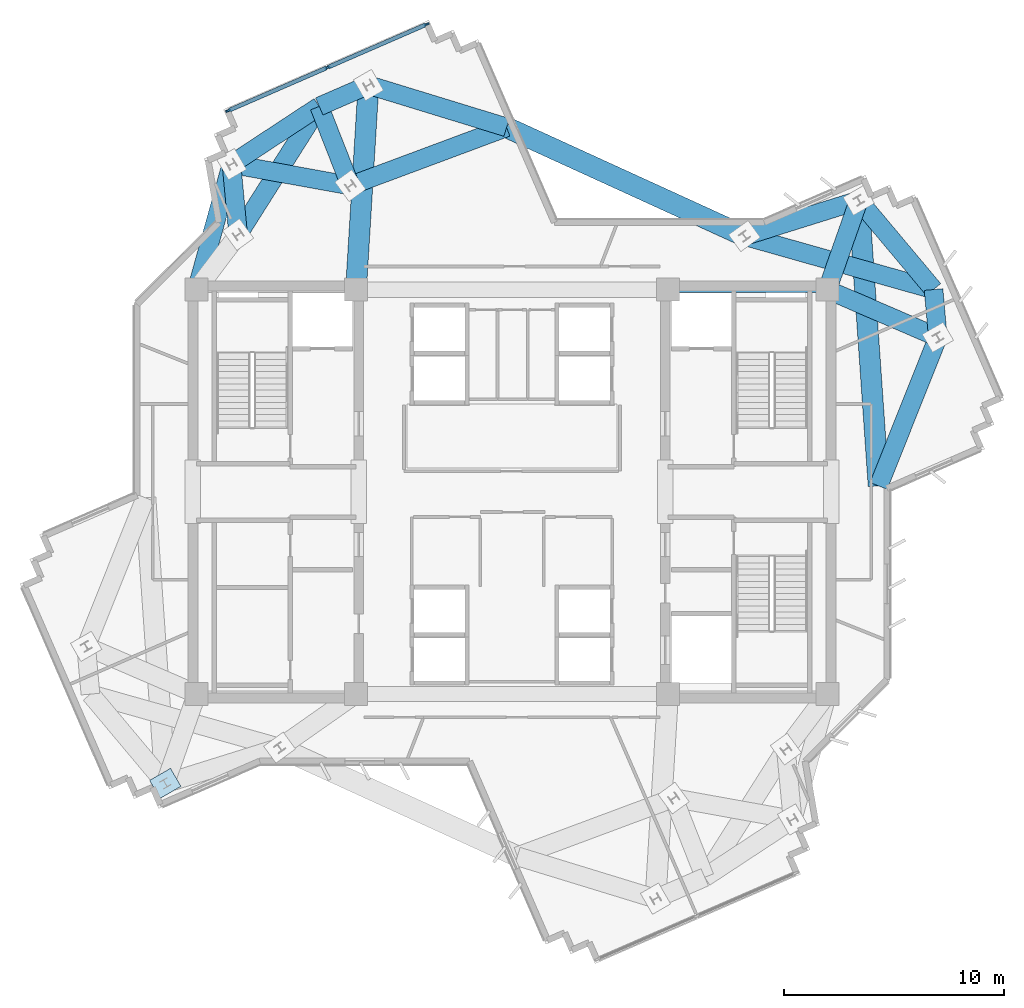
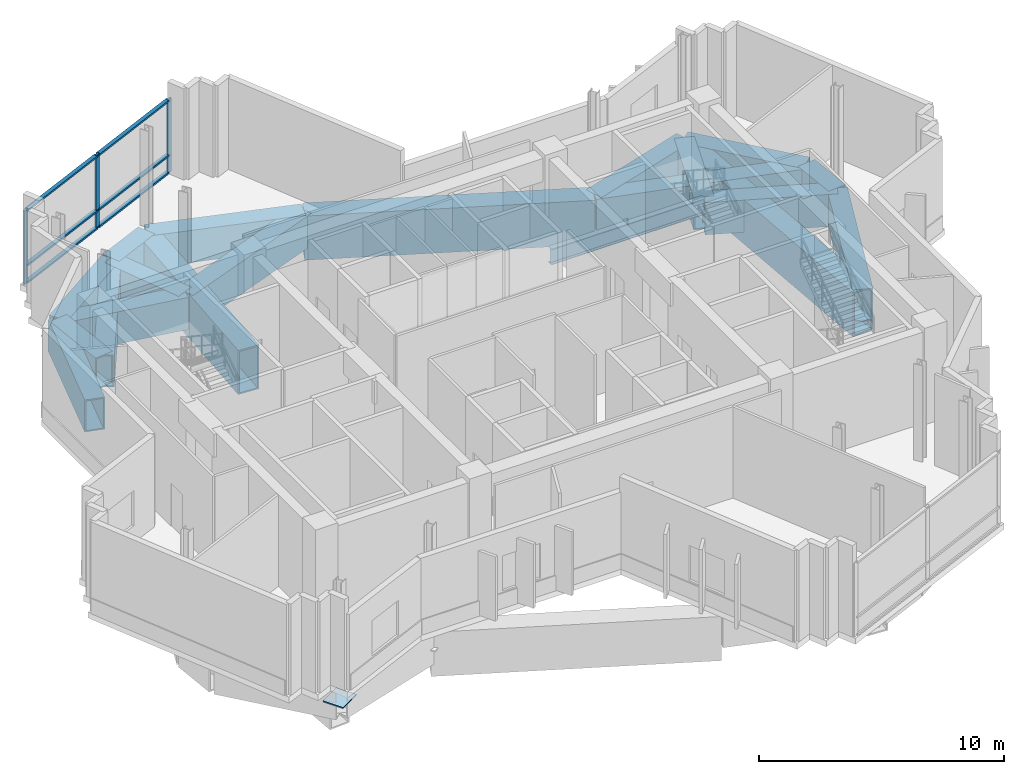
# One storey, part 3 of 11: 20 beams, 9 members, 1 plate, 1 element without a shape of its own.
"""IFC4 building model written with IfcOpenShell, lengths in metres."""

from ifc_helpers import new_model, si_unit, direction, frame, origin, origin_2d, place, context, subcontext, project, spatial, rectangle, hollow_rectangle, i_section, extrude, source, transform, mapped, material, layer, layer_set, material_profile, profile_set, type_object, element, aggregate, save


model = new_model("IFC4")

# Units and contexts
model_context = context("Model", 3, precision=1e-05, world=origin(), true_north=direction((0.0, 1.0)))
body_context = subcontext(model_context, "Body", "Model", "MODEL_VIEW")
ifc_project = project(units=[si_unit("LENGTHUNIT", "METRE"), si_unit("AREAUNIT", "SQUARE_METRE"), si_unit("VOLUMEUNIT", "CUBIC_METRE"), si_unit("PLANEANGLEUNIT", "RADIAN"), si_unit("MASSUNIT", "GRAM", prefix="KILO")], contexts=[model_context])

# Site, building, storey
site_placement = place(None, origin())
site = spatial("IfcSite", under=ifc_project, at=site_placement, CompositionType="ELEMENT")
building_placement = place(site_placement, origin())
building = spatial("IfcBuilding", under=site, at=building_placement, Name="Zahravan Cultural Tower", CompositionType="ELEMENT")
storey_placement = place(building_placement, frame((0.0, 0.0, 234.300048828125)))
storey = spatial("IfcBuildingStorey", under=building, at=storey_placement, Name="L55", CompositionType="ELEMENT", Elevation=234.300048828125)

# Beams
ifc_material_1 = material(Name="Steel ASTM A992 Grade 50", Category="steel")
ifc_material_profile_1 = material_profile(ifc_material_1, i_section(OverallWidth=0.26611328125, OverallDepth=0.780029296875, WebThickness=0.0166015625, FlangeThickness=0.030029296875, FilletRadius=0.01904296875, at=origin_2d()), Name="W30X148")
ifc_profile_set_1 = profile_set([ifc_material_profile_1], Name="Steel ASTM A992 Grade 50")
beam_type_1 = type_object("IfcBeamType", Name="BM-G-W30X148", PredefinedType="BEAM", material=ifc_profile_set_1)
shared_shape_1 = source(origin(), body_context, "Body", "SweptSolid", [
    extrude(i_section(OverallWidth=0.26611328125, OverallDepth=0.780029296875, WebThickness=0.0166015625, FlangeThickness=0.030029296875, FilletRadius=0.01904296875, at=origin_2d()), origin(), (0.0, 0.0, 1.0), 7.25),
])
beam_1_placement = place(storey_placement, frame((43.10009765625, 36.199951171875, -0.68994140625), z_axis=(1.0, 0.0, 0.0), x_axis=(0.0, 1.0, 0.0)))
element("IfcBeam", 1, at=beam_1_placement, inside=storey, type_object=beam_type_1, Name="L55 Beam BG-L55-05", PredefinedType="BEAM", context=body_context, shape_type="MappedRepresentation", body=[
    mapped(shared_shape_1, transform((0.0, 0.0, 0.0), x_axis=(1.0, 0.0, 0.0), y_axis=(0.0, 1.0, 0.0), z_axis=(0.0, 0.0, 1.0), scale=1.0)),
])
ifc_material_2 = material(Name="Steel ASTM A572 Grade 50", Category="steel")
ifc_material_profile_2 = material_profile(ifc_material_2, hollow_rectangle(XDim=0.85009765625, YDim=1.60009765625, WallThickness=0.06005859375, at=origin_2d()), Name="BOX1600X850X60")
ifc_profile_set_2 = profile_set([ifc_material_profile_2], Name="Steel ASTM A572 Grade 50")
beam_type_2 = type_object("IfcBeamType", Name="BM-TR-BOX1600", PredefinedType="BEAM", material=ifc_profile_set_2)
shared_shape_2 = source(origin(), body_context, "Body", "SweptSolid", [
    extrude(hollow_rectangle(XDim=0.85009765625, YDim=1.60009765625, WallThickness=0.06005859375, at=origin_2d()), origin(), (0.0, 0.0, 1.0), 5.4775390625),
])
beam_2_placement = place(storey_placement, frame((50.35009765625, 36.199951171875, -1.10009765625), z_axis=(0.91835704552, -0.395752873577, 0.0), x_axis=(0.395752873577, 0.91835704552, 0.0)))
element("IfcBeam", 2, at=beam_2_placement, inside=storey, type_object=beam_type_2, Name="L55 Beam TB-L55-27", PredefinedType="BEAM", context=body_context, shape_type="MappedRepresentation", body=[
    mapped(shared_shape_2, transform((0.0, 0.0, 0.0), x_axis=(1.0, 0.0, 0.0), y_axis=(0.0, 1.0, 0.0), z_axis=(0.0, 0.0, 1.0), scale=1.0)),
])
shared_shape_3 = source(origin(), body_context, "Body", "SweptSolid", [
    extrude(hollow_rectangle(XDim=0.85009765625, YDim=1.60009765625, WallThickness=0.06005859375, at=origin_2d()), origin(), (0.0, 0.0, 1.0), 2.1826171875),
])
beam_3_placement = place(storey_placement, frame((55.38037109375, 34.0322265625, -1.10009765625), z_axis=(-0.089597754325, 0.995978033101, 0.0), x_axis=(-0.995978033101, -0.089597754325, 0.0)))
element("IfcBeam", 3, at=beam_3_placement, inside=storey, type_object=beam_type_2, Name="L55 Beam TB-L55-28", PredefinedType="BEAM", context=body_context, shape_type="MappedRepresentation", body=[
    mapped(shared_shape_3, transform((0.0, 0.0, 0.0), x_axis=(1.0, 0.0, 0.0), y_axis=(0.0, 1.0, 0.0), z_axis=(0.0, 0.0, 1.0), scale=1.0)),
])
shared_shape_4 = source(origin(), body_context, "Body", "SweptSolid", [
    extrude(hollow_rectangle(XDim=0.85009765625, YDim=1.60009765625, WallThickness=0.06005859375, at=origin_2d()), origin(), (0.0, 0.0, 1.0), 7.279052734375),
])
beam_4_placement = place(storey_placement, frame((55.38037109375, 34.0322265625, -1.10009765625), z_axis=(-0.370390022442, -0.928876327223, 0.0), x_axis=(0.928876327223, -0.370390022442, 0.0)))
element("IfcBeam", 4, at=beam_4_placement, inside=storey, type_object=beam_type_2, Name="L55 Beam TB-L55-29", PredefinedType="BEAM", context=body_context, shape_type="MappedRepresentation", body=[
    mapped(shared_shape_4, transform((0.0, 0.0, 0.0), x_axis=(1.0, 0.0, 0.0), y_axis=(0.0, 1.0, 0.0), z_axis=(0.0, 0.0, 1.0), scale=1.0)),
])
shared_shape_5 = source(origin(), body_context, "Body", "SweptSolid", [
    extrude(hollow_rectangle(XDim=0.85009765625, YDim=1.60009765625, WallThickness=0.06005859375, at=origin_2d()), origin(), (0.0, 0.0, 1.0), 4.311767578125),
])
beam_5_placement = place(storey_placement, frame((50.35009765625, 36.199951171875, -1.10009765625), z_axis=(0.331694400302, 0.94338689031, 0.0), x_axis=(-0.94338689031, 0.331694400302, 0.0)))
element("IfcBeam", 5, at=beam_5_placement, inside=storey, type_object=beam_type_2, Name="L55 Beam TB-L55-30", PredefinedType="BEAM", context=body_context, shape_type="MappedRepresentation", body=[
    mapped(shared_shape_5, transform((0.0, 0.0, 0.0), x_axis=(1.0, 0.0, 0.0), y_axis=(0.0, 1.0, 0.0), z_axis=(0.0, 0.0, 1.0), scale=1.0)),
])
shared_shape_6 = source(origin(), body_context, "Body", "SweptSolid", [
    extrude(hollow_rectangle(XDim=0.85009765625, YDim=1.60009765625, WallThickness=0.06005859375, at=origin_2d()), origin(), (0.0, 0.0, 1.0), 5.2998046875),
])
beam_6_placement = place(storey_placement, frame((51.7802734375, 40.267578125, -1.10009765625), z_axis=(0.642401996297, -0.766367845851, 0.0), x_axis=(0.766367845851, 0.642401996297, 0.0)))
element("IfcBeam", 6, at=beam_6_placement, inside=storey, type_object=beam_type_2, Name="L55 Beam TB-L55-31", PredefinedType="BEAM", context=body_context, shape_type="MappedRepresentation", body=[
    mapped(shared_shape_6, transform((0.0, 0.0, 0.0), x_axis=(1.0, 0.0, 0.0), y_axis=(0.0, 1.0, 0.0), z_axis=(0.0, 0.0, 1.0), scale=1.0)),
])
ifc_material_profile_3 = material_profile(ifc_material_2, hollow_rectangle(XDim=0.949951171875, YDim=2.199951171875, WallThickness=0.070068359375, at=origin_2d()), Name="BOX2200X950X70")
ifc_profile_set_3 = profile_set([ifc_material_profile_3], Name="Steel ASTM A572 Grade 50")
beam_type_3 = type_object("IfcBeamType", Name="BM-TR-BOX2200", PredefinedType="BEAM", material=ifc_profile_set_3)
shared_shape_7 = source(origin(), body_context, "Body", "SweptSolid", [
    extrude(hollow_rectangle(XDim=0.949951171875, YDim=2.199951171875, WallThickness=0.070068359375, at=origin_2d()), origin(), (0.0, 0.0, 1.0), 13.028076171875),
])
beam_7_placement = place(storey_placement, frame((51.7802734375, 40.267578125, -1.400146484375), z_axis=(0.069393123145, -0.997589391714, 0.0), x_axis=(0.997589391714, 0.069393123145, 0.0)))
element("IfcBeam", 7, at=beam_7_placement, inside=storey, type_object=beam_type_3, Name="L55 Beam TB-L55-32", PredefinedType="BEAM", context=body_context, shape_type="MappedRepresentation", body=[
    mapped(shared_shape_7, transform((0.0, 0.0, 0.0), x_axis=(1.0, 0.0, 0.0), y_axis=(0.0, 1.0, 0.0), z_axis=(0.0, 0.0, 1.0), scale=1.0)),
])
shared_shape_8 = source(origin(), body_context, "Body", "SweptSolid", [
    extrude(hollow_rectangle(XDim=0.85009765625, YDim=1.60009765625, WallThickness=0.06005859375, at=origin_2d()), origin(), (0.0, 0.0, 1.0), 8.944580078125),
])
beam_8_placement = place(storey_placement, frame((46.577880859375, 38.640625, -1.10009765625), z_axis=(0.962245709121, -0.272182283183, 0.0), x_axis=(0.272182283183, 0.962245709121, 0.0)))
element("IfcBeam", 8, at=beam_8_placement, inside=storey, type_object=beam_type_2, Name="L55 Beam TB-L55-33", PredefinedType="BEAM", context=body_context, shape_type="MappedRepresentation", body=[
    mapped(shared_shape_8, transform((0.0, 0.0, 0.0), x_axis=(1.0, 0.0, 0.0), y_axis=(0.0, 1.0, 0.0), z_axis=(0.0, 0.0, 1.0), scale=1.0)),
])
shared_shape_9 = source(origin(), body_context, "Body", "SweptSolid", [
    extrude(hollow_rectangle(XDim=0.949951171875, YDim=2.199951171875, WallThickness=0.070068359375, at=origin_2d()), origin(), (0.0, 0.0, 1.0), 11.900146484375),
])
beam_9_placement = place(storey_placement, frame((46.577880859375, 38.640625, -1.400146484375), z_axis=(-0.909498189657, 0.415707881824, 0.0), x_axis=(-0.415707881824, -0.909498189657, 0.0)))
element("IfcBeam", 9, at=beam_9_placement, inside=storey, type_object=beam_type_3, Name="L55 Beam TB-L55-34", PredefinedType="BEAM", context=body_context, shape_type="MappedRepresentation", body=[
    mapped(shared_shape_9, transform((0.0, 0.0, 0.0), x_axis=(1.0, 0.0, 0.0), y_axis=(0.0, 1.0, 0.0), z_axis=(0.0, 0.0, 1.0), scale=1.0)),
])
shared_shape_10 = source(origin(), body_context, "Body", "SweptSolid", [
    extrude(hollow_rectangle(XDim=0.949951171875, YDim=2.199951171875, WallThickness=0.070068359375, at=origin_2d()), origin(), (0.0, 0.0, 1.0), 9.331787109375),
])
beam_10_placement = place(storey_placement, frame((28.89990234375, 36.199951171875, -1.400146484375), z_axis=(0.060853670048, 0.998146698057, 0.0), x_axis=(-0.998146698057, 0.060853670048, 0.0)))
element("IfcBeam", 10, at=beam_10_placement, inside=storey, type_object=beam_type_3, Name="L55 Beam TB-L55-35", PredefinedType="BEAM", context=body_context, shape_type="MappedRepresentation", body=[
    mapped(shared_shape_10, transform((0.0, 0.0, 0.0), x_axis=(1.0, 0.0, 0.0), y_axis=(0.0, 1.0, 0.0), z_axis=(0.0, 0.0, 1.0), scale=1.0)),
])
shared_shape_11 = source(origin(), body_context, "Body", "SweptSolid", [
    extrude(hollow_rectangle(XDim=0.85009765625, YDim=1.60009765625, WallThickness=0.06005859375, at=origin_2d()), origin(), (0.0, 0.0, 1.0), 2.442138671875),
])
beam_11_placement = place(storey_placement, frame((29.4677734375, 45.514404296875, -1.10009765625), z_axis=(-0.917168572537, -0.398499447366, 0.0), x_axis=(0.398499447366, -0.917168572537, 0.0)))
element("IfcBeam", 11, at=beam_11_placement, inside=storey, type_object=beam_type_2, Name="L55 Beam TB-L55-36", PredefinedType="BEAM", context=body_context, shape_type="MappedRepresentation", body=[
    mapped(shared_shape_11, transform((0.0, 0.0, 0.0), x_axis=(1.0, 0.0, 0.0), y_axis=(0.0, 1.0, 0.0), z_axis=(0.0, 0.0, 1.0), scale=1.0)),
])
shared_shape_12 = source(origin(), body_context, "Body", "SweptSolid", [
    extrude(hollow_rectangle(XDim=0.85009765625, YDim=1.60009765625, WallThickness=0.06005859375, at=origin_2d()), origin(), (0.0, 0.0, 1.0), 6.575439453125),
])
beam_12_placement = place(storey_placement, frame((29.4677734375, 45.514404296875, -1.10009765625), z_axis=(0.95610595292, -0.293021171234, 0.0), x_axis=(0.293021171234, 0.95610595292, 0.0)))
element("IfcBeam", 12, at=beam_12_placement, inside=storey, type_object=beam_type_2, Name="L55 Beam TB-L55-37", PredefinedType="BEAM", context=body_context, shape_type="MappedRepresentation", body=[
    mapped(shared_shape_12, transform((0.0, 0.0, 0.0), x_axis=(1.0, 0.0, 0.0), y_axis=(0.0, 1.0, 0.0), z_axis=(0.0, 0.0, 1.0), scale=1.0)),
])
shared_shape_13 = source(origin(), body_context, "Body", "SweptSolid", [
    extrude(hollow_rectangle(XDim=0.85009765625, YDim=1.60009765625, WallThickness=0.06005859375, at=origin_2d()), origin(), (0.0, 0.0, 1.0), 3.87158203125),
])
beam_13_placement = place(storey_placement, frame((28.642578125, 40.937255859375, -1.10009765625), z_axis=(-0.36535970816, 0.930866415579, 0.0), x_axis=(-0.930866415579, -0.36535970816, 0.0)))
element("IfcBeam", 13, at=beam_13_placement, inside=storey, type_object=beam_type_2, Name="L55 Beam TB-L55-39", PredefinedType="BEAM", context=body_context, shape_type="MappedRepresentation", body=[
    mapped(shared_shape_13, transform((0.0, 0.0, 0.0), x_axis=(1.0, 0.0, 0.0), y_axis=(0.0, 1.0, 0.0), z_axis=(0.0, 0.0, 1.0), scale=1.0)),
])
shared_shape_14 = source(origin(), body_context, "Body", "SweptSolid", [
    extrude(hollow_rectangle(XDim=0.85009765625, YDim=1.60009765625, WallThickness=0.06005859375, at=origin_2d()), origin(), (0.0, 0.0, 1.0), 7.58984375),
])
beam_14_placement = place(storey_placement, frame((28.642578125, 40.937255859375, -1.10009765625), z_axis=(0.93704765217, 0.349201514262, 0.0), x_axis=(-0.349201514262, 0.93704765217, 0.0)))
element("IfcBeam", 14, at=beam_14_placement, inside=storey, type_object=beam_type_2, Name="L55 Beam TB-L55-40", PredefinedType="BEAM", context=body_context, shape_type="MappedRepresentation", body=[
    mapped(shared_shape_14, transform((0.0, 0.0, 0.0), x_axis=(1.0, 0.0, 0.0), y_axis=(0.0, 1.0, 0.0), z_axis=(0.0, 0.0, 1.0), scale=1.0)),
])
shared_shape_15 = source(origin(), body_context, "Body", "SweptSolid", [
    extrude(hollow_rectangle(XDim=0.85009765625, YDim=1.60009765625, WallThickness=0.06005859375, at=origin_2d()), origin(), (0.0, 0.0, 1.0), 5.929443359375),
])
beam_15_placement = place(storey_placement, frame((21.64990234375, 36.199951171875, -1.10009765625), z_axis=(0.266892026307, 0.963726437478, 0.0), x_axis=(-0.963726437478, 0.266892026307, 0.0)))
element("IfcBeam", 15, at=beam_15_placement, inside=storey, type_object=beam_type_2, Name="L55 Beam TB-L55-41", PredefinedType="BEAM", context=body_context, shape_type="MappedRepresentation", body=[
    mapped(shared_shape_15, transform((0.0, 0.0, 0.0), x_axis=(1.0, 0.0, 0.0), y_axis=(0.0, 1.0, 0.0), z_axis=(0.0, 0.0, 1.0), scale=1.0)),
])
shared_shape_16 = source(origin(), body_context, "Body", "SweptSolid", [
    extrude(hollow_rectangle(XDim=0.85009765625, YDim=1.60009765625, WallThickness=0.06005859375, at=origin_2d()), origin(), (0.0, 0.0, 1.0), 4.78173828125),
])
beam_16_placement = place(storey_placement, frame((23.232421875, 41.914306640625, -1.10009765625), z_axis=(0.835583611525, 0.549363293414, 0.0), x_axis=(-0.549363293414, 0.835583611525, 0.0)))
element("IfcBeam", 16, at=beam_16_placement, inside=storey, type_object=beam_type_2, Name="L55 Beam TB-L55-42", PredefinedType="BEAM", context=body_context, shape_type="MappedRepresentation", body=[
    mapped(shared_shape_16, transform((0.0, 0.0, 0.0), x_axis=(1.0, 0.0, 0.0), y_axis=(0.0, 1.0, 0.0), z_axis=(0.0, 0.0, 1.0), scale=1.0)),
])
shared_shape_17 = source(origin(), body_context, "Body", "SweptSolid", [
    extrude(hollow_rectangle(XDim=0.85009765625, YDim=1.60009765625, WallThickness=0.06005859375, at=origin_2d()), origin(), (0.0, 0.0, 1.0), 6.90087890625),
])
beam_17_placement = place(storey_placement, frame((23.536376953125, 38.710693359375, -1.10009765625), z_axis=(0.534944344957, 0.844887298874, 0.0), x_axis=(-0.844887298874, 0.534944344957, 0.0)))
element("IfcBeam", 17, at=beam_17_placement, inside=storey, type_object=beam_type_2, Name="L55 Beam TB-L55-45", PredefinedType="BEAM", context=body_context, shape_type="MappedRepresentation", body=[
    mapped(shared_shape_17, transform((0.0, 0.0, 0.0), x_axis=(1.0, 0.0, 0.0), y_axis=(0.0, 1.0, 0.0), z_axis=(0.0, 0.0, 1.0), scale=1.0)),
])
shared_shape_18 = source(origin(), body_context, "Body", "SweptSolid", [
    extrude(hollow_rectangle(XDim=0.85009765625, YDim=1.60009765625, WallThickness=0.06005859375, at=origin_2d()), origin(), (0.0, 0.0, 1.0), 5.450927734375),
])
beam_18_placement = place(storey_placement, frame((51.7802734375, 40.267578125, -1.10009765625), z_axis=(-0.954416996605, -0.298476459025, 0.0), x_axis=(0.298476459025, -0.954416996605, 0.0)))
element("IfcBeam", 18, at=beam_18_placement, inside=storey, type_object=beam_type_2, Name="L55 Beam TB-L55-54", PredefinedType="BEAM", context=body_context, shape_type="MappedRepresentation", body=[
    mapped(shared_shape_18, transform((0.0, 0.0, 0.0), x_axis=(1.0, 0.0, 0.0), y_axis=(0.0, 1.0, 0.0), z_axis=(0.0, 0.0, 1.0), scale=1.0)),
])
shared_shape_19 = source(origin(), body_context, "Body", "SweptSolid", [
    extrude(hollow_rectangle(XDim=0.85009765625, YDim=1.60009765625, WallThickness=0.06005859375, at=origin_2d()), origin(), (0.0, 0.0, 1.0), 5.49755859375),
])
beam_19_placement = place(storey_placement, frame((28.642578125, 40.937255859375, -1.10009765625), z_axis=(-0.984080958163, 0.177720757878, 0.0), x_axis=(-0.177720757878, -0.984080958163, 0.0)))
element("IfcBeam", 19, at=beam_19_placement, inside=storey, type_object=beam_type_2, Name="L55 Beam TB-L55-57", PredefinedType="BEAM", context=body_context, shape_type="MappedRepresentation", body=[
    mapped(shared_shape_19, transform((0.0, 0.0, 0.0), x_axis=(1.0, 0.0, 0.0), y_axis=(0.0, 1.0, 0.0), z_axis=(0.0, 0.0, 1.0), scale=1.0)),
])
shared_shape_20 = source(origin(), body_context, "Body", "SweptSolid", [
    extrude(hollow_rectangle(XDim=0.85009765625, YDim=1.60009765625, WallThickness=0.06005859375, at=origin_2d()), origin(), (0.0, 0.0, 1.0), 3.218017578125),
])
beam_20_placement = place(storey_placement, frame((23.232421875, 41.914306640625, -1.10009765625), z_axis=(0.094454641962, -0.995529166128, 0.0), x_axis=(0.995529166128, 0.094454641962, 0.0)))
element("IfcBeam", 20, at=beam_20_placement, inside=storey, type_object=beam_type_2, Name="L55 Beam TB-L55-58", PredefinedType="BEAM", context=body_context, shape_type="MappedRepresentation", body=[
    mapped(shared_shape_20, transform((0.0, 0.0, 0.0), x_axis=(1.0, 0.0, 0.0), y_axis=(0.0, 1.0, 0.0), z_axis=(0.0, 0.0, 1.0), scale=1.0)),
])

# Curtain wall, members
ifc_material_3 = material(Name="Anodised bronze-aluminium mullion", Category="aluminium")
ifc_layer_1 = layer(ifc_material_3, 0.239990234375)
ifc_layer_set_1 = layer_set([ifc_layer_1], Name="Anodised bronze-aluminium mullion")
curtain_wall_type = type_object("IfcCurtainWallType", Name="CW-SYS-5", PredefinedType="USERDEFINED", material=ifc_layer_set_1)
curtain_wall_placement = place(storey_placement, origin())
curtain_wall = element("IfcCurtainWall", 21, at=curtain_wall_placement, inside=storey, type_object=curtain_wall_type, Name="L55 Recessed Curtain Wall CW-5.2", ObjectType="RECESSED GLAZING", PredefinedType="USERDEFINED")
ifc_material_profile_4 = material_profile(ifc_material_3, rectangle(XDim=0.179931640625, YDim=0.0849609375, at=origin_2d()), Name="AL-T85X180")
ifc_profile_set_4 = profile_set([ifc_material_profile_4], Name="Anodised bronze-aluminium mullion")
member_type_1 = type_object("IfcMemberType", Name="CWT-CW-5", PredefinedType="USERDEFINED", material=ifc_profile_set_4)
shared_shape_21 = source(origin(), body_context, "Body", "SweptSolid", [
    extrude(rectangle(XDim=0.179931640625, YDim=0.0849609375, at=origin_2d()), origin(), (0.0, 0.0, 1.0), 4.83251953125),
])
member_1_placement = place(storey_placement, frame((23.12646484375, 44.36572265625, 0.04248046875), z_axis=(0.916946321338, 0.399010581043, 0.0), x_axis=(-0.399010581043, 0.916946321338, 0.0)))
member_1 = element("IfcMember", 22, at=member_1_placement, type_object=member_type_1, Name="CW-5 transom 1.1", ObjectType="TRANSOM", PredefinedType="USERDEFINED", context=body_context, shape_type="MappedRepresentation", body=[
    mapped(shared_shape_21, transform((0.0, 0.0, 0.0), x_axis=(1.0, 0.0, 0.0), y_axis=(0.0, 1.0, 0.0), z_axis=(0.0, 0.0, 1.0), scale=1.0)),
])
member_2_placement = place(storey_placement, frame((23.12646484375, 44.36572265625, 0.89990234375), z_axis=(0.916946321338, 0.399010581043, 0.0), x_axis=(-0.399010581043, 0.916946321338, 0.0)))
member_2 = element("IfcMember", 23, at=member_2_placement, type_object=member_type_1, Name="CW-5 transom 1.2", ObjectType="TRANSOM", PredefinedType="USERDEFINED", context=body_context, shape_type="MappedRepresentation", body=[
    mapped(shared_shape_21, transform((0.0, 0.0, 0.0), x_axis=(1.0, 0.0, 0.0), y_axis=(0.0, 1.0, 0.0), z_axis=(0.0, 0.0, 1.0), scale=1.0)),
])
member_3_placement = place(storey_placement, frame((23.12646484375, 44.36572265625, 3.62744140625), z_axis=(0.916946321338, 0.399010581043, 0.0), x_axis=(-0.399010581043, 0.916946321338, 0.0)))
member_3 = element("IfcMember", 24, at=member_3_placement, type_object=member_type_1, Name="CW-5 transom 1.3", ObjectType="TRANSOM", PredefinedType="USERDEFINED", context=body_context, shape_type="MappedRepresentation", body=[
    mapped(shared_shape_21, transform((0.0, 0.0, 0.0), x_axis=(1.0, 0.0, 0.0), y_axis=(0.0, 1.0, 0.0), z_axis=(0.0, 0.0, 1.0), scale=1.0)),
])
member_4_placement = place(storey_placement, frame((27.6357421875, 46.327880859375, 0.04248046875), z_axis=(0.916946321338, 0.399010581043, 0.0), x_axis=(-0.399010581043, 0.916946321338, 0.0)))
member_4 = element("IfcMember", 25, at=member_4_placement, type_object=member_type_1, Name="CW-5 transom 2.1", ObjectType="TRANSOM", PredefinedType="USERDEFINED", context=body_context, shape_type="MappedRepresentation", body=[
    mapped(shared_shape_21, transform((0.0, 0.0, 0.0), x_axis=(1.0, 0.0, 0.0), y_axis=(0.0, 1.0, 0.0), z_axis=(0.0, 0.0, 1.0), scale=1.0)),
])
member_5_placement = place(storey_placement, frame((27.6357421875, 46.327880859375, 0.89990234375), z_axis=(0.916946321338, 0.399010581043, 0.0), x_axis=(-0.399010581043, 0.916946321338, 0.0)))
member_5 = element("IfcMember", 26, at=member_5_placement, type_object=member_type_1, Name="CW-5 transom 2.2", ObjectType="TRANSOM", PredefinedType="USERDEFINED", context=body_context, shape_type="MappedRepresentation", body=[
    mapped(shared_shape_21, transform((0.0, 0.0, 0.0), x_axis=(1.0, 0.0, 0.0), y_axis=(0.0, 1.0, 0.0), z_axis=(0.0, 0.0, 1.0), scale=1.0)),
])
member_6_placement = place(storey_placement, frame((27.6357421875, 46.327880859375, 3.62744140625), z_axis=(0.916946321338, 0.399010581043, 0.0), x_axis=(-0.399010581043, 0.916946321338, 0.0)))
member_6 = element("IfcMember", 27, at=member_6_placement, type_object=member_type_1, Name="CW-5 transom 2.3", ObjectType="TRANSOM", PredefinedType="USERDEFINED", context=body_context, shape_type="MappedRepresentation", body=[
    mapped(shared_shape_21, transform((0.0, 0.0, 0.0), x_axis=(1.0, 0.0, 0.0), y_axis=(0.0, 1.0, 0.0), z_axis=(0.0, 0.0, 1.0), scale=1.0)),
])
ifc_material_profile_5 = material_profile(ifc_material_3, rectangle(XDim=0.0849609375, YDim=0.239990234375, at=origin_2d()), Name="AL-M85X240")
ifc_profile_set_5 = profile_set([ifc_material_profile_5], Name="Anodised bronze-aluminium mullion")
member_type_2 = type_object("IfcMemberType", Name="CWM-CW-5", PredefinedType="MULLION", material=ifc_profile_set_5)
shared_shape_22 = source(origin(), body_context, "Body", "SweptSolid", [
    extrude(rectangle(XDim=0.0849609375, YDim=0.239990234375, at=origin_2d()), origin(), (0.0, 0.0, 1.0), 3.669921875),
])
member_7_placement = place(storey_placement, frame((23.087646484375, 44.3486328125, 0.0), z_axis=(0.0, 0.0, 1.0), x_axis=(-0.399016919762, 0.916943563009, 0.0)))
member_7 = element("IfcMember", 28, at=member_7_placement, type_object=member_type_2, Name="CW-5 mullion 1", PredefinedType="MULLION", context=body_context, shape_type="MappedRepresentation", body=[
    mapped(shared_shape_22, transform((0.0, 0.0, 0.0), x_axis=(1.0, 0.0, 0.0), y_axis=(0.0, 1.0, 0.0), z_axis=(0.0, 0.0, 1.0), scale=1.0)),
])
member_8_placement = place(storey_placement, frame((27.5966796875, 46.310791015625, 0.0), z_axis=(0.0, 0.0, 1.0), x_axis=(-0.399016919762, 0.916943563009, 0.0)))
member_8 = element("IfcMember", 29, at=member_8_placement, type_object=member_type_2, Name="CW-5 mullion 2", PredefinedType="MULLION", context=body_context, shape_type="MappedRepresentation", body=[
    mapped(shared_shape_22, transform((0.0, 0.0, 0.0), x_axis=(1.0, 0.0, 0.0), y_axis=(0.0, 1.0, 0.0), z_axis=(0.0, 0.0, 1.0), scale=1.0)),
])
member_9_placement = place(storey_placement, frame((32.105712890625, 48.27294921875, 0.0), z_axis=(0.0, 0.0, 1.0), x_axis=(-0.399016919762, 0.916943563009, 0.0)))
member_9 = element("IfcMember", 30, at=member_9_placement, type_object=member_type_2, Name="CW-5 mullion 3", PredefinedType="MULLION", context=body_context, shape_type="MappedRepresentation", body=[
    mapped(shared_shape_22, transform((0.0, 0.0, 0.0), x_axis=(1.0, 0.0, 0.0), y_axis=(0.0, 1.0, 0.0), z_axis=(0.0, 0.0, 1.0), scale=1.0)),
])
aggregate(curtain_wall, [member_7, member_8, member_9, member_1, member_2, member_3, member_4, member_5, member_6])

# Plate
ifc_layer_2 = layer(ifc_material_2, 0.06005859375)
ifc_layer_set_2 = layer_set([ifc_layer_2], Name="Steel ASTM A572 Grade 50")
plate_type = type_object("IfcPlateType", Name="PL-NODE-60", PredefinedType="SHEET", material=ifc_layer_set_2)
shared_shape_23 = source(origin(), body_context, "Body", "SweptSolid", [
    extrude(rectangle(XDim=1.10009765625, YDim=0.949951171875, at=origin_2d()), origin(), (0.0, 0.0, 1.0), 0.06005859375),
])
plate_placement = place(storey_placement, frame((20.2197265625, 13.732421875, -1.130126953125), z_axis=(0.0, 0.0, 1.0), x_axis=(0.866025403784, 0.5, 0.0)))
element("IfcPlate", 31, at=plate_placement, inside=storey, type_object=plate_type, Name="L55 Transfer Node Plate TN2", PredefinedType="SHEET", context=body_context, shape_type="MappedRepresentation", body=[
    mapped(shared_shape_23, transform((0.0, 0.0, 0.0), x_axis=(1.0, 0.0, 0.0), y_axis=(0.0, 1.0, 0.0), z_axis=(0.0, 0.0, 1.0), scale=1.0)),
])

save(model, "model.ifc")
